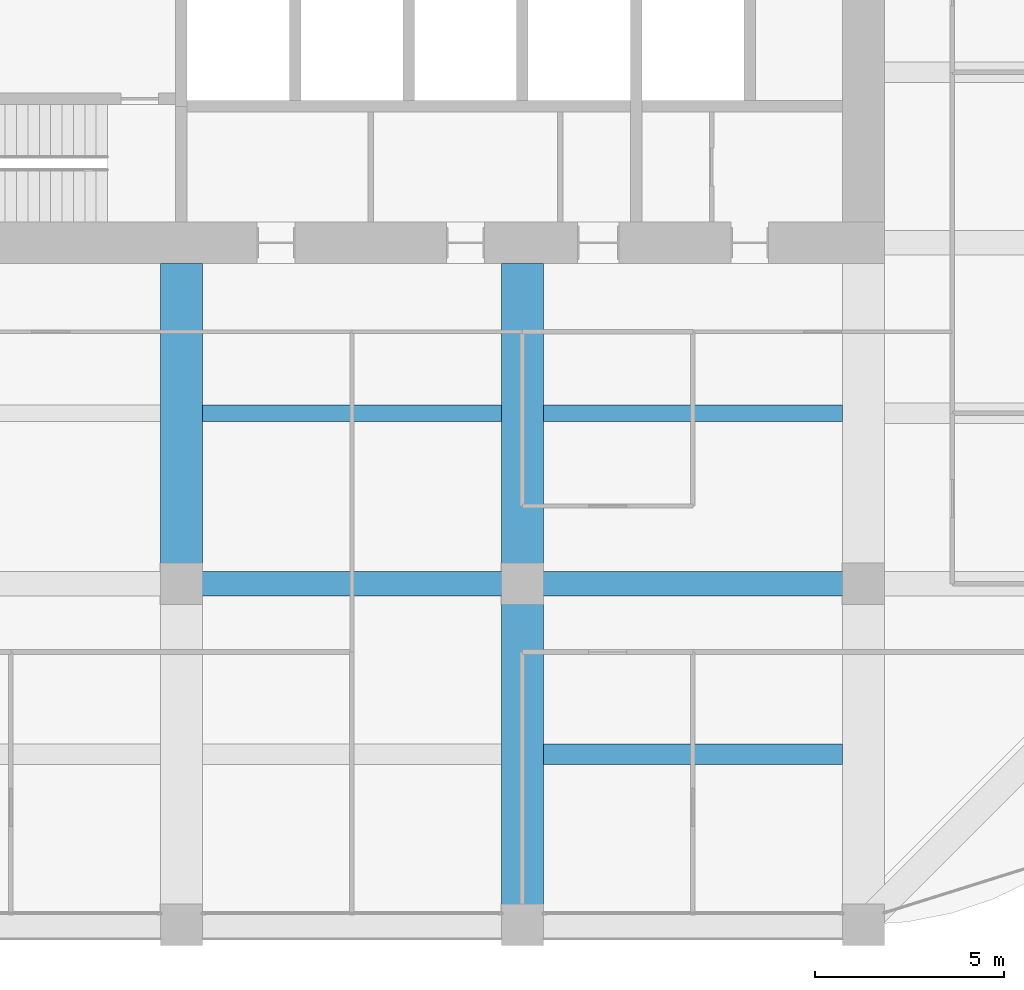
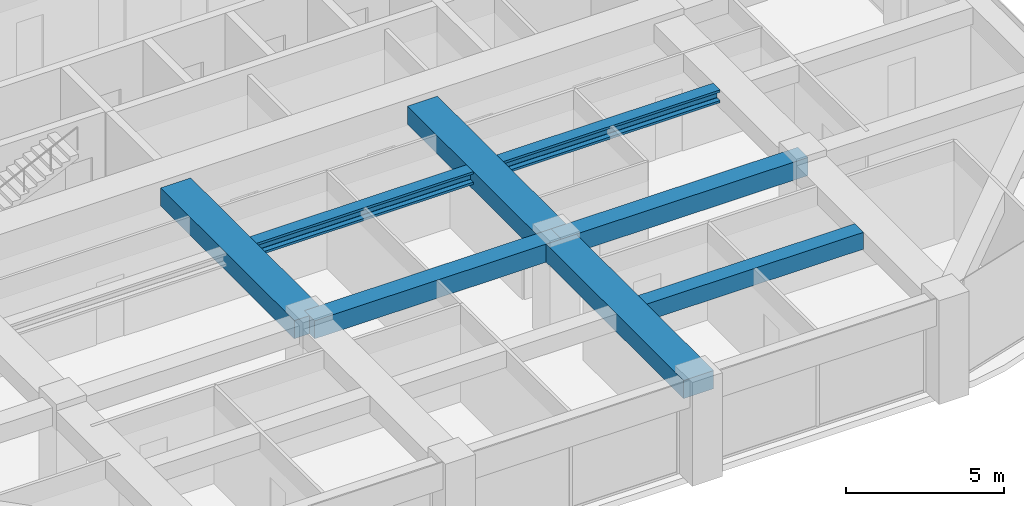
# One storey, part 12 of 44: 8 beams.
"""IFC4 building model written with IfcOpenShell, lengths in metres."""

import ifcopenshell
import ifcopenshell.guid

model = None  # the IFC model being written
_history = None  # IfcOwnerHistory: only IFC2X3 demands one
_inside = {}  # id of a spatial element -> (the spatial element, [elements in it])
_under = {}  # id of a project, library or spatial element -> (it, [spatial elements below it])
_declared = {}  # id of a project -> (the project, [libraries it declares])
_typed = {}  # id of a type object -> (the type object, [elements of that type])
_made_of = {}  # id of a material, layer set ... -> (it, [elements and type objects made of it])


def new_model(schema):
    """Start an empty IFC model of exactly this schema.

    Asked for "IFC4X3", IfcOpenShell would pick the latest addendum, in which some entities
    have other attributes; the version numbers below select the first issue.
    IFC2X3 requires an IfcOwnerHistory on every rooted entity: one is made here for all.
    """
    global model, _history
    if schema == "IFC4X3":
        model = ifcopenshell.file(schema_version=(4, 3, 0, 0))
    else:
        model = ifcopenshell.file(schema=schema)
    _inside.clear()
    _under.clear()
    _declared.clear()
    _typed.clear()
    _made_of.clear()
    _history = None
    if model.schema == "IFC2X3":
        org = make("IfcOrganization", Name="unknown")
        user = make(
            "IfcPersonAndOrganization",
            ThePerson=make("IfcPerson", FamilyName="unknown"),
            TheOrganization=org,
        )
        app = make(
            "IfcApplication",
            ApplicationDeveloper=org,
            Version="unknown",
            ApplicationFullName="unknown",
            ApplicationIdentifier="unknown",
        )
        _history = make(
            "IfcOwnerHistory",
            OwningUser=user,
            OwningApplication=app,
            ChangeAction="ADDED",
            CreationDate=0,
        )
    return model


def make(cls, **values):
    """One entity of the class cls with the attributes given. An attribute that is None is left unset."""
    return model.create_entity(
        cls, **{name: value for name, value in values.items() if value is not None}
    )


def rooted(cls, **values):
    """An entity with a GlobalId (a new one), such as an element, a storey or a relation."""
    return make(cls, GlobalId=ifcopenshell.guid.new(), OwnerHistory=_history, **values)


def si_unit(unit_type, name, prefix=None):
    """IfcSIUnit, for example si_unit("LENGTHUNIT", "METRE", prefix="MILLI")."""
    return make("IfcSIUnit", UnitType=unit_type, Prefix=prefix, Name=name)


def assignment(units):
    """IfcUnitAssignment: the units of a project."""
    return None if units is None else make("IfcUnitAssignment", Units=units)


def point(xyz):
    """IfcCartesianPoint."""
    return None if xyz is None else make("IfcCartesianPoint", Coordinates=xyz)


def direction(xyz):
    """IfcDirection."""
    return None if xyz is None else make("IfcDirection", DirectionRatios=xyz)


def frame(location, z_axis=None, x_axis=None):
    """IfcAxis2Placement3D, a coordinate frame: its origin and axes. An axis left out is left unset."""
    return make(
        "IfcAxis2Placement3D",
        Location=point(location),
        Axis=direction(z_axis),
        RefDirection=direction(x_axis),
    )


def frame_2d(location, x_axis=None):
    """IfcAxis2Placement2D, a coordinate frame in the plane: its origin and x axis."""
    return make(
        "IfcAxis2Placement2D", Location=point(location), RefDirection=direction(x_axis)
    )


def origin():
    """The frame at (0, 0, 0) with its axes left unset."""
    return frame((0.0, 0.0, 0.0))


def origin_2d():
    """The frame at (0, 0) in the plane with its x axis left unset."""
    return frame_2d((0.0, 0.0))


def place(relative_to, where):
    """IfcLocalPlacement: puts the frame where relative to a parent placement (None: the world)."""
    return make(
        "IfcLocalPlacement", PlacementRelTo=relative_to, RelativePlacement=where
    )


def context(
    kind, dimensions, precision=None, world=None, true_north=None, identifier=None
):
    """IfcGeometricRepresentationContext, for example the 3D "Model" context."""
    return make(
        "IfcGeometricRepresentationContext",
        ContextIdentifier=identifier,
        ContextType=kind,
        CoordinateSpaceDimension=dimensions,
        Precision=precision,
        WorldCoordinateSystem=world,
        TrueNorth=true_north,
    )


def subcontext(parent, identifier, kind, view, scale=None):
    """IfcGeometricRepresentationSubContext, for example "Body" below "Model"."""
    return make(
        "IfcGeometricRepresentationSubContext",
        ContextIdentifier=identifier,
        ContextType=kind,
        ParentContext=parent,
        TargetScale=scale,
        TargetView=view,
    )


def project(units=None, contexts=None):
    """IfcProject with its units and contexts."""
    return rooted(
        "IfcProject",
        Name="project",
        RepresentationContexts=contexts,
        UnitsInContext=assignment(units),
    )


def spatial(cls, under=None, at=None, **own):
    """A site, building, storey or space (cls), placed at a placement, below another one or the project."""
    s = rooted(cls, ObjectPlacement=at, **own)
    if under is not None:
        _under.setdefault(under.id(), (under, []))[1].append(s)
    return s


def profile(cls, at=None, kind="AREA", **sizes):
    """A parametric profile (cls). Its sizes go by their IFC names, for example OverallWidth=200.0."""
    return make(cls, ProfileType=kind, Position=at, **sizes)


def rectangle(**sizes):
    """IfcRectangleProfileDef."""
    return profile("IfcRectangleProfileDef", **sizes)


def i_section(**sizes):
    """IfcIShapeProfileDef."""
    return profile("IfcIShapeProfileDef", **sizes)


def extrude(swept, where, along, depth):
    """IfcExtrudedAreaSolid: the profile swept, set in the frame where, extruded along a direction by depth."""
    return make(
        "IfcExtrudedAreaSolid",
        SweptArea=swept,
        Position=where,
        ExtrudedDirection=direction(along),
        Depth=depth,
    )


def shape(context_of_items, identifier, shape_type, items):
    """IfcShapeRepresentation: the items that make up one representation, for example the "Body"."""
    return make(
        "IfcShapeRepresentation",
        ContextOfItems=context_of_items,
        RepresentationIdentifier=identifier,
        RepresentationType=shape_type,
        Items=items,
    )


def material(Name=None, Category=None):
    """IfcMaterial."""
    return make("IfcMaterial", Name=Name, Category=Category)


def material_profile(
    of_material, cross_section, Name=None, Category=None, Priority=None
):
    """IfcMaterialProfile: a cross section and its material."""
    return make(
        "IfcMaterialProfile",
        Name=Name,
        Material=of_material,
        Profile=cross_section,
        Priority=Priority,
        Category=Category,
    )


def profile_set(profiles, Name=None, composite=None):
    """IfcMaterialProfileSet."""
    return make(
        "IfcMaterialProfileSet",
        Name=Name,
        MaterialProfiles=profiles,
        CompositeProfile=composite,
    )


def made_of(thing, what):
    """Note that an element or type object is made of a material, layer set ...; save() writes the relation."""
    if what is not None:
        _made_of.setdefault(what.id(), (what, []))[1].append(thing)
    return thing


def type_object(cls, material=None, **own):
    """A type object (cls), such as IfcWallType, which elements share."""
    return made_of(rooted(cls, **own), material)


def element(
    cls,
    number,
    at=None,
    inside=None,
    cuts=None,
    type_object=None,
    material=None,
    context=None,
    identifier="Body",
    shape_type=None,
    held_by="IfcProductDefinitionShape",
    body=None,
    shapes=None,
    **own,
):
    """One element of the class cls, such as IfcWall. Its Tag is "e" and its number.

    at: its placement. inside: the storey or other place that contains it. cuts: it is an
    opening in that element (IfcRelVoidsElement). A single representation is given by context,
    identifier, shape_type and body (its items); several are given by shapes. held_by: the class
    of the entity that holds the representations. save() writes the other relations.
    """
    e = rooted(cls, Tag="e%d" % number, ObjectPlacement=at, **own)
    if body is not None:
        shapes = [shape(context, identifier, shape_type, body)]
    if shapes is not None:
        e.Representation = make(held_by, Representations=shapes)
    if inside is not None:
        _inside.setdefault(inside.id(), (inside, []))[1].append(e)
    if cuts is not None:
        rooted(
            "IfcRelVoidsElement", RelatingBuildingElement=cuts, RelatedOpeningElement=e
        )
    if type_object is not None:
        _typed.setdefault(type_object.id(), (type_object, []))[1].append(e)
    return made_of(e, material)


def aggregate(whole, parts):
    """IfcRelAggregates: a whole, such as a stair, and the parts it consists of."""
    return rooted("IfcRelAggregates", RelatingObject=whole, RelatedObjects=parts)


def save(model, path):
    """Write the relations noted so far, then the file.

    IfcRelAggregates (storeys below a building ...), IfcRelContainedInSpatialStructure (elements
    in a storey), IfcRelDefinesByType, IfcRelAssociatesMaterial and IfcRelDeclares: one each for
    every whole, place, type object, material and project.
    """
    for whole, parts in _under.values():
        aggregate(whole, parts)
    for where, things in _inside.values():
        rooted(
            "IfcRelContainedInSpatialStructure",
            RelatedElements=things,
            RelatingStructure=where,
        )
    for kind, things in _typed.values():
        rooted("IfcRelDefinesByType", RelatedObjects=things, RelatingType=kind)
    for what, things in _made_of.values():
        rooted("IfcRelAssociatesMaterial", RelatedObjects=things, RelatingMaterial=what)
    for by, libraries in _declared.values():
        rooted("IfcRelDeclares", RelatingContext=by, RelatedDefinitions=libraries)
    model.write(path)


model = new_model("IFC4")

# Units and contexts
model_context = context("Model", 3, precision=1e-05, world=origin(), true_north=direction((0.0, 1.0)))
body_context = subcontext(model_context, "Body", "Model", "MODEL_VIEW")
ifc_project = project(units=[si_unit("LENGTHUNIT", "METRE"), si_unit("AREAUNIT", "SQUARE_METRE"), si_unit("VOLUMEUNIT", "CUBIC_METRE"), si_unit("PLANEANGLEUNIT", "RADIAN"), si_unit("MASSUNIT", "GRAM", prefix="KILO")], contexts=[model_context])

# Site, building, storey
site_placement = place(None, origin())
site = spatial("IfcSite", under=ifc_project, at=site_placement, CompositionType="ELEMENT")
building_placement = place(site_placement, origin())
building = spatial("IfcBuilding", under=site, at=building_placement, Name="Zorevar Civic Tower", CompositionType="ELEMENT")
storey_placement = place(building_placement, frame((0.0, 0.0, 299.39990234375)))
storey = spatial("IfcBuildingStorey", under=building, at=storey_placement, Name="L73", CompositionType="ELEMENT", Elevation=299.39990234375)

# Beams
ifc_material_1 = material(Name="Concrete C50/60", Category="concrete")
ifc_material_profile_1 = material_profile(ifc_material_1, rectangle(XDim=1.10009765625, YDim=0.699951171875, at=origin_2d()), Name="RC 1100x700")
ifc_profile_set_1 = profile_set([ifc_material_profile_1], Name="Concrete C50/60")
beam_type_1 = type_object("IfcBeamType", Name="Beam RC 1100x700", PredefinedType="BEAM", material=ifc_profile_set_1)
beam_1_placement = place(storey_placement, frame((27.0, 9.0, 3.400146484375), z_axis=(0.0, 1.0, 0.0), x_axis=(-1.0, 0.0, 0.0)))
element("IfcBeam", 1, at=beam_1_placement, inside=storey, type_object=beam_type_1, Name="Girder L74", PredefinedType="BEAM", context=body_context, shape_type="SweptSolid", body=[
    extrude(rectangle(XDim=1.10009765625, YDim=0.699951171875, at=origin_2d()), origin(), (0.0, 0.0, 1.0), 8.449951171875),
])
beam_2_placement = place(storey_placement, frame((36.0, 0.0, 3.400146484375), z_axis=(0.0, 1.0, 0.0), x_axis=(-1.0, 0.0, 0.0)))
element("IfcBeam", 2, at=beam_2_placement, inside=storey, type_object=beam_type_1, Name="Girder L74", PredefinedType="BEAM", context=body_context, shape_type="SweptSolid", body=[
    extrude(rectangle(XDim=1.10009765625, YDim=0.699951171875, at=origin_2d()), origin(), (0.0, 0.0, 1.0), 9.0),
])
beam_3_placement = place(storey_placement, frame((36.0, 9.0, 3.400146484375), z_axis=(0.0, 1.0, 0.0), x_axis=(-1.0, 0.0, 0.0)))
element("IfcBeam", 3, at=beam_3_placement, inside=storey, type_object=beam_type_1, Name="Girder L74", PredefinedType="BEAM", context=body_context, shape_type="SweptSolid", body=[
    extrude(rectangle(XDim=1.10009765625, YDim=0.699951171875, at=origin_2d()), origin(), (0.0, 0.0, 1.0), 8.449951171875),
])
ifc_material_2 = material(Name="Concrete C50/60", Category="concrete")
ifc_material_profile_2 = material_profile(ifc_material_2, rectangle(XDim=0.550048828125, YDim=0.64990234375, at=origin_2d()), Name="RC 550x650")
ifc_profile_set_2 = profile_set([ifc_material_profile_2], Name="Concrete C50/60")
beam_type_2 = type_object("IfcBeamType", Name="Beam RC 550x650", PredefinedType="BEAM", material=ifc_profile_set_2)
beam_4_placement = place(storey_placement, frame((36.550048828125, 4.5, 3.425048828125), z_axis=(1.0, 0.0, 0.0), x_axis=(0.0, 1.0, 0.0)))
element("IfcBeam", 4, at=beam_4_placement, inside=storey, type_object=beam_type_2, Name="Secondary beam L74", PredefinedType="BEAM", context=body_context, shape_type="SweptSolid", body=[
    extrude(rectangle(XDim=0.550048828125, YDim=0.64990234375, at=origin_2d()), origin(), (0.0, 0.0, 1.0), 7.89990234375),
])
ifc_material_3 = material(Name="Concrete C50/60", Category="concrete")
ifc_material_profile_3 = material_profile(ifc_material_3, rectangle(XDim=0.64990234375, YDim=0.699951171875, at=origin_2d()), Name="RC 650x700")
ifc_profile_set_3 = profile_set([ifc_material_profile_3], Name="Concrete C50/60")
beam_type_3 = type_object("IfcBeamType", Name="Beam RC 650x700", PredefinedType="BEAM", material=ifc_profile_set_3)
for number, where, z_axis, x_axis, name in (
    (5, (27.0, 9.0, 3.400146484375), (1.0, 0.0, 0.0), (0.0, 1.0, 0.0), "Girder L74"),
    (6, (36.0, 9.0, 3.400146484375), (1.0, 0.0, 0.0), (0.0, 1.0, 0.0), "Girder L74"),
):
    element("IfcBeam", number, at=place(storey_placement, frame(where, z_axis=z_axis, x_axis=x_axis)), inside=storey, type_object=beam_type_3, Name=name, PredefinedType="BEAM", context=body_context, shape_type="SweptSolid", body=[
        extrude(rectangle(XDim=0.64990234375, YDim=0.699951171875, at=origin_2d()), origin(), (0.0, 0.0, 1.0), 9.0),
    ])
ifc_material_4 = material(Name="Steel S460M (HISTAR 460)", Category="steel")
ifc_material_profile_4 = material_profile(ifc_material_4, i_section(OverallWidth=0.431884765625, OverallDepth=0.498046875, WebThickness=0.0556640625, FlangeThickness=0.0888671875, FilletRadius=0.014892578125, at=origin_2d()), Name="HD 400x744")
ifc_profile_set_4 = profile_set([ifc_material_profile_4], Name="Steel S460M (HISTAR 460)")
beam_type_4 = type_object("IfcBeamType", Name="Core bay beam HD 400x744", PredefinedType="BEAM", material=ifc_profile_set_4)
for number, where, z_axis, x_axis, name in (
    (7, (27.550048828125, 13.5, 3.5009765625), (1.0, 0.0, 0.0), (0.0, 1.0, 0.0), "Secondary beam L74"),
    (8, (36.550048828125, 13.5, 3.5009765625), (1.0, 0.0, 0.0), (0.0, 1.0, 0.0), "Secondary beam L74"),
):
    element("IfcBeam", number, at=place(storey_placement, frame(where, z_axis=z_axis, x_axis=x_axis)), inside=storey, type_object=beam_type_4, Name=name, PredefinedType="BEAM", context=body_context, shape_type="SweptSolid", body=[
        extrude(i_section(OverallWidth=0.431884765625, OverallDepth=0.498046875, WebThickness=0.0556640625, FlangeThickness=0.0888671875, FilletRadius=0.014892578125, at=origin_2d()), origin(), (0.0, 0.0, 1.0), 7.89990234375),
    ])

save(model, "model.ifc")
